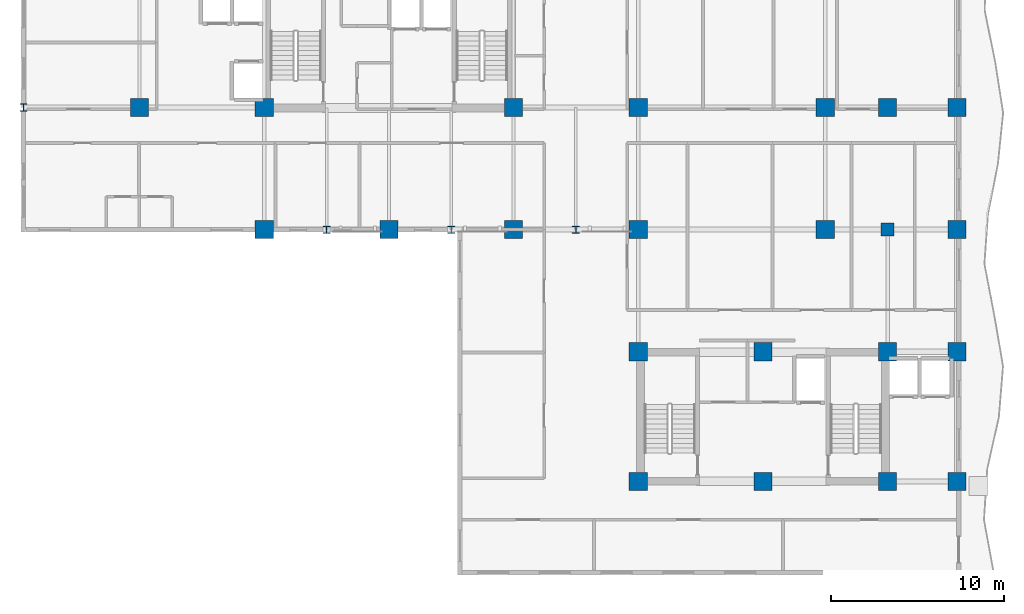
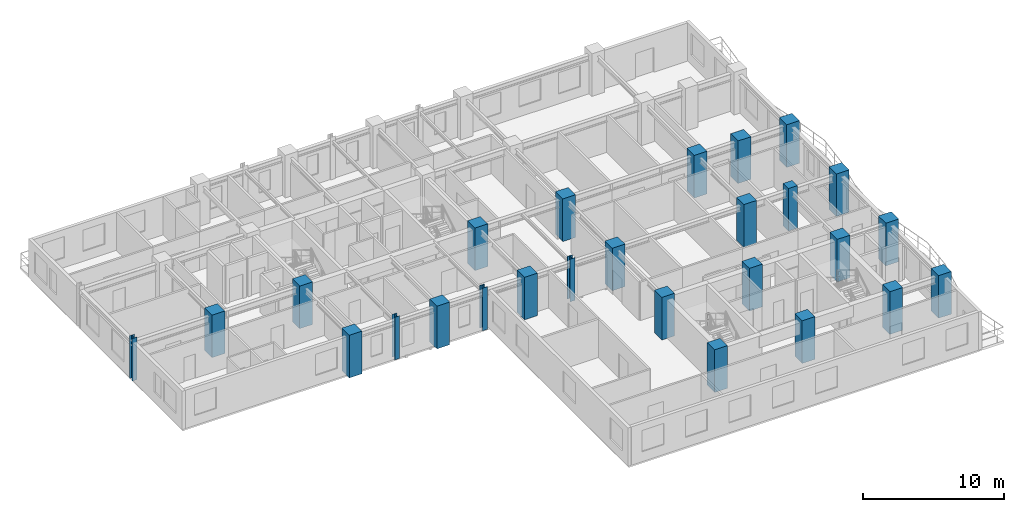
# One storey, part 1 of 13: 26 columns.
"""IFC4 building model written with IfcOpenShell, lengths in metres."""

from ifc_helpers import new_model, si_unit, direction, frame, origin, origin_2d, place, context, subcontext, project, spatial, rectangle, i_section, extrude, source, transform, mapped, material, material_profile, profile_set, type_object, element, save


model = new_model("IFC4")

# Units and contexts
model_context = context("Model", 3, precision=1e-05, world=origin(), true_north=direction((0.0, 1.0)))
body_context = subcontext(model_context, "Body", "Model", "MODEL_VIEW")
ifc_project = project(units=[si_unit("LENGTHUNIT", "METRE"), si_unit("AREAUNIT", "SQUARE_METRE"), si_unit("VOLUMEUNIT", "CUBIC_METRE"), si_unit("PLANEANGLEUNIT", "RADIAN"), si_unit("MASSUNIT", "GRAM", prefix="KILO")], contexts=[model_context])

# Site, building, storey
site_placement = place(None, origin())
site = spatial("IfcSite", under=ifc_project, at=site_placement, CompositionType="ELEMENT")
building_placement = place(site_placement, origin())
building = spatial("IfcBuilding", under=site, at=building_placement, Name="Kaliganga Portal Commons", CompositionType="ELEMENT")
storey_placement = place(building_placement, frame((0.0, 0.0, 188.300048828125)))
storey = spatial("IfcBuildingStorey", under=building, at=storey_placement, Name="L48", CompositionType="ELEMENT", Elevation=188.300048828125)

# Columns
ifc_material_1 = material(Name="Concrete C60/75", Category="concrete")
ifc_material_profile_1 = material_profile(ifc_material_1, rectangle(XDim=1.050048828125, YDim=1.050048828125, at=origin_2d()), Name="RC 1050x1050")
ifc_profile_set_1 = profile_set([ifc_material_profile_1], Name="Concrete C60/75")
column_type_1 = type_object("IfcColumnType", Name="COL-MEGA-Z3", PredefinedType="COLUMN", material=ifc_profile_set_1)
shared_shape_1 = source(origin(), body_context, "Body", "SweptSolid", [
    extrude(rectangle(XDim=1.050048828125, YDim=1.050048828125, at=origin_2d()), origin(), (0.0, 0.0, 1.0), 3.699951171875),
])
for number, where, z_axis, x_axis, name in (
    (1, (7.199951171875, 28.64990234375, 0.0), (0.0, 0.0, 1.0), (1.0, 0.0, 0.0), "Column MC-04 L48"),
    (2, (14.39990234375, 21.60009765625, 0.0), (0.0, 0.0, 1.0), (1.0, 0.0, 0.0), "Column MC-04 L48"),
    (3, (14.39990234375, 28.64990234375, 0.0), (0.0, 0.0, 1.0), (1.0, 0.0, 0.0), "Column MC-04 L48"),
    (4, (21.60009765625, 21.60009765625, 0.0), (0.0, 0.0, 1.0), (1.0, 0.0, 0.0), "Column MC-04 L48"),
    (5, (28.800048828125, 21.60009765625, 0.0), (0.0, 0.0, 1.0), (1.0, 0.0, 0.0), "Column MC-04 L48"),
    (6, (28.800048828125, 28.64990234375, 0.0), (0.0, 0.0, 1.0), (1.0, 0.0, 0.0), "Column MC-04 L48"),
    (7, (36.0, 21.60009765625, 0.0), (0.0, 0.0, 1.0), (1.0, 0.0, 0.0), "Column MC-04 L48"),
    (8, (36.0, 28.64990234375, 0.0), (0.0, 0.0, 1.0), (1.0, 0.0, 0.0), "Column MC-04 L48"),
    (9, (46.800048828125, 21.60009765625, 0.0), (0.0, 0.0, 1.0), (1.0, 0.0, 0.0), "Column MC-04 L48"),
    (10, (46.800048828125, 28.64990234375, 0.0), (0.0, 0.0, 1.0), (1.0, 0.0, 0.0), "Column MC-04 L48"),
    (11, (36.0, 7.050048828125, 0.0), (0.0, 0.0, 1.0), (1.0, 0.0, 0.0), "Column MC-04 L48"),
    (12, (36.0, 14.550048828125, 0.0), (0.0, 0.0, 1.0), (1.0, 0.0, 0.0), "Column MC-04 L48"),
    (13, (43.199951171875, 7.050048828125, 0.0), (0.0, 0.0, 1.0), (1.0, 0.0, 0.0), "Column MC-04 L48"),
    (14, (43.199951171875, 14.550048828125, 0.0), (0.0, 0.0, 1.0), (1.0, 0.0, 0.0), "Column MC-04 L48"),
    (15, (50.39990234375, 7.050048828125, 0.0), (0.0, 0.0, 1.0), (1.0, 0.0, 0.0), "Column MC-04 L48"),
    (16, (50.39990234375, 14.550048828125, 0.0), (0.0, 0.0, 1.0), (1.0, 0.0, 0.0), "Column MC-04 L48"),
    (17, (50.39990234375, 28.64990234375, 0.0), (0.0, 0.0, 1.0), (1.0, 0.0, 0.0), "Column MC-04 L48"),
    (18, (54.39990234375, 7.050048828125, 0.0), (0.0, 0.0, 1.0), (1.0, 0.0, 0.0), "Column MC-04 L48"),
    (19, (54.39990234375, 14.550048828125, 0.0), (0.0, 0.0, 1.0), (1.0, 0.0, 0.0), "Column MC-04 L48"),
    (20, (54.39990234375, 21.60009765625, 0.0), (0.0, 0.0, 1.0), (1.0, 0.0, 0.0), "Column MC-04 L48"),
    (21, (54.39990234375, 28.64990234375, 0.0), (0.0, 0.0, 1.0), (1.0, 0.0, 0.0), "Column MC-04 L48"),
):
    element("IfcColumn", number, at=place(storey_placement, frame(where, z_axis=z_axis, x_axis=x_axis)), inside=storey, type_object=column_type_1, Name=name, PredefinedType="COLUMN", context=body_context, shape_type="MappedRepresentation", body=[
        mapped(shared_shape_1, transform((0.0, 0.0, 0.0), x_axis=(1.0, 0.0, 0.0), y_axis=(0.0, 1.0, 0.0), z_axis=(0.0, 0.0, 1.0), scale=1.0)),
    ])
ifc_material_2 = material(Name="Structural steel S460M", Category="steel")
ifc_material_profile_2 = material_profile(ifc_material_2, i_section(OverallWidth=0.404052734375, OverallDepth=0.4140625, WebThickness=0.0205078125, FlangeThickness=0.028076171875, FilletRadius=0.014892578125, at=origin_2d()), Name="HD 400x347")
ifc_profile_set_2 = profile_set([ifc_material_profile_2], Name="Structural steel S460M wide-flange")
column_type_2 = type_object("IfcColumnType", Name="COL-TUBE-B3", PredefinedType="COLUMN", material=ifc_profile_set_2)
shared_shape_2 = source(origin(), body_context, "Body", "SweptSolid", [
    extrude(i_section(OverallWidth=0.404052734375, OverallDepth=0.4140625, WebThickness=0.0205078125, FlangeThickness=0.028076171875, FilletRadius=0.014892578125, at=origin_2d()), origin(), (0.0, 0.0, 1.0), 3.699951171875),
])
for number, where, z_axis, x_axis, name in (
    (22, (0.5, 28.64990234375, 0.0), (0.0, 0.0, 1.0), (1.0, 0.0, 0.0), "Column TC-03 L48"),
    (23, (18.0, 21.60009765625, 0.0), (0.0, 0.0, 1.0), (1.0, 0.0, 0.0), "Column TC-03 L48"),
    (24, (25.199951171875, 21.60009765625, 0.0), (0.0, 0.0, 1.0), (1.0, 0.0, 0.0), "Column TC-03 L48"),
    (25, (32.39990234375, 21.60009765625, 0.0), (0.0, 0.0, 1.0), (1.0, 0.0, 0.0), "Column TC-03 L48"),
):
    element("IfcColumn", number, at=place(storey_placement, frame(where, z_axis=z_axis, x_axis=x_axis)), inside=storey, type_object=column_type_2, Name=name, PredefinedType="COLUMN", context=body_context, shape_type="MappedRepresentation", body=[
        mapped(shared_shape_2, transform((0.0, 0.0, 0.0), x_axis=(1.0, 0.0, 0.0), y_axis=(0.0, 1.0, 0.0), z_axis=(0.0, 0.0, 1.0), scale=1.0)),
    ])
ifc_material_profile_3 = material_profile(ifc_material_1, rectangle(XDim=0.75, YDim=0.75, at=origin_2d()), Name="RC 750x750")
ifc_profile_set_3 = profile_set([ifc_material_profile_3], Name="Concrete C60/75")
column_type_3 = type_object("IfcColumnType", Name="COL-PILASTER-RC", PredefinedType="PILASTER", material=ifc_profile_set_3)
shared_shape_3 = source(origin(), body_context, "Body", "SweptSolid", [
    extrude(rectangle(XDim=0.75, YDim=0.75, at=origin_2d()), origin(), (0.0, 0.0, 1.0), 3.699951171875),
])
column_placement = place(storey_placement, frame((50.39990234375, 21.60009765625, 0.0), z_axis=(0.0, 0.0, 1.0), x_axis=(1.0, 0.0, 0.0)))
element("IfcColumn", 26, at=column_placement, inside=storey, type_object=column_type_3, Name="Column CP-01 L48", PredefinedType="PILASTER", context=body_context, shape_type="MappedRepresentation", body=[
    mapped(shared_shape_3, transform((0.0, 0.0, 0.0), x_axis=(1.0, 0.0, 0.0), y_axis=(0.0, 1.0, 0.0), z_axis=(0.0, 0.0, 1.0), scale=1.0)),
])

save(model, "model.ifc")
